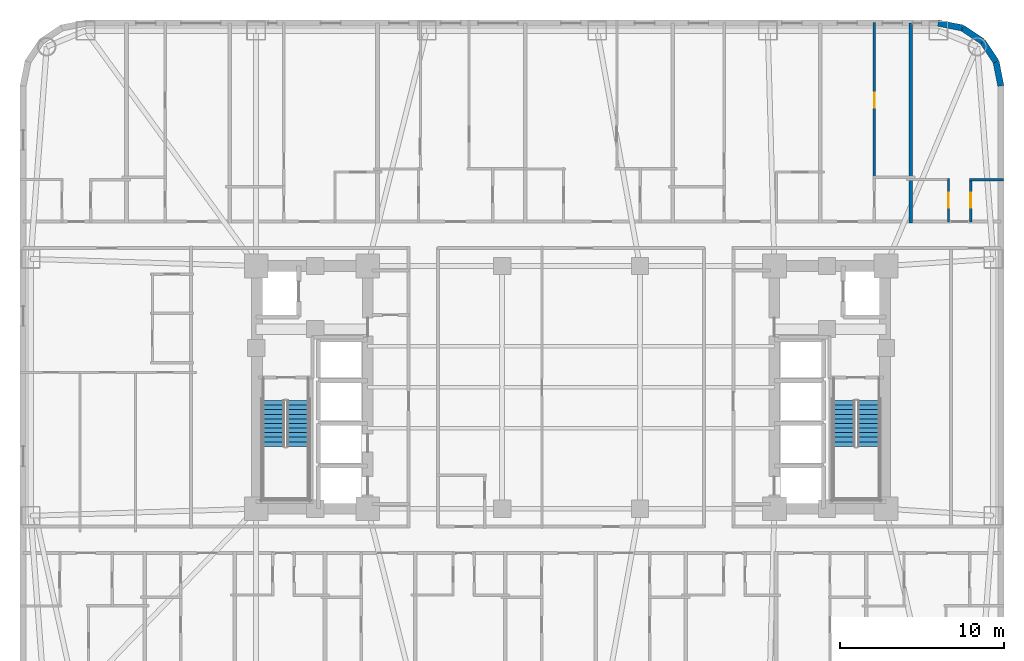
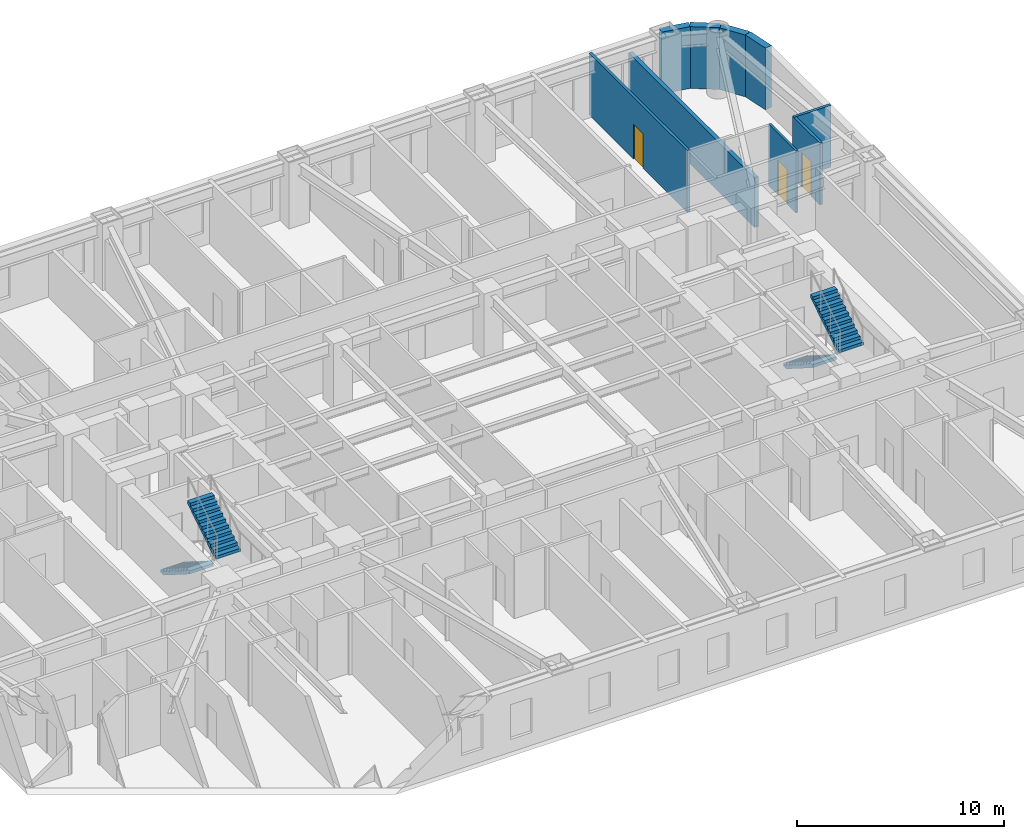
# One storey, part 9 of 11: 9 walls, 4 stair flights, 3 doors, 3 openings, 2 elements without a shape of their own.
"""IFC4 building model written with IfcOpenShell, lengths in metres."""

from ifc_helpers import new_model, si_unit, direction, frame, frame_2d, origin, place, context, subcontext, project, spatial, polyline, rectangle, outline, extrude, material, layer, layer_set, type_object, element, fill, aggregate, save


model = new_model("IFC4")

# Units and contexts
model_context = context("Model", 3, precision=1e-05, world=origin(), true_north=direction((0.0, 1.0)))
body_context = subcontext(model_context, "Body", "Model", "MODEL_VIEW")
ifc_project = project(units=[si_unit("LENGTHUNIT", "METRE"), si_unit("AREAUNIT", "SQUARE_METRE"), si_unit("VOLUMEUNIT", "CUBIC_METRE"), si_unit("PLANEANGLEUNIT", "RADIAN"), si_unit("MASSUNIT", "GRAM", prefix="KILO")], contexts=[model_context])

# Site, building, storey
site_placement = place(None, origin())
site = spatial("IfcSite", under=ifc_project, at=site_placement, CompositionType="ELEMENT")
building_placement = place(site_placement, origin())
building = spatial("IfcBuilding", under=site, at=building_placement, Name="Voryun Gate Residences", CompositionType="ELEMENT")
storey_placement = place(building_placement, frame((0.0, 0.0, 68.89990234375)))
storey = spatial("IfcBuildingStorey", under=building, at=storey_placement, Name="L16", CompositionType="ELEMENT", Elevation=68.89990234375)

# Walls
ifc_material_1 = material(Name="Granite masonry", Category="masonry")
ifc_layer_1 = layer(ifc_material_1, 0.3798828125, Name="W_EXT_GRANITE_380")
ifc_layer_set_1 = layer_set([ifc_layer_1], Name="Granite masonry")
wall_type_1 = type_object("IfcWallType", Name="W_EXT_GRANITE_380", PredefinedType="ELEMENTEDWALL", material=ifc_layer_set_1)
wall_1_placement = place(storey_placement, frame((22.38134765625, 22.2099609375, 0.0), z_axis=(0.0, 0.0, 1.0), x_axis=(0.980786132421, -0.195086038585, 0.0)))
element("IfcWall", 1, at=wall_1_placement, inside=storey, type_object=wall_type_1, Name="Exterior wall WEXT-L16-12", PredefinedType="ELEMENTEDWALL", context=body_context, shape_type="SweptSolid", body=[
    extrude(rectangle(XDim=1.504150390625, YDim=0.3798828125, at=frame_2d((0.751953125, 0.0))), origin(), (0.0, 0.0, 1.0), 3.650146484375),
])
for number, where, z_axis, x_axis, name in (
    (2, (23.856689453125, 21.91650390625, 0.0), (0.0, 0.0, 1.0), (0.831392092774, -0.555686231674, 0.0), "Exterior wall WEXT-L16-13"),
    (3, (25.09130859375, 21.09130859375, 0.0), (0.0, 0.0, 1.0), (0.555686231674, -0.831392092774, 0.0), "Exterior wall WEXT-L16-14"),
):
    element("IfcWall", number, at=place(storey_placement, frame(where, z_axis=z_axis, x_axis=x_axis)), inside=storey, type_object=wall_type_1, Name=name, PredefinedType="ELEMENTEDWALL", context=body_context, shape_type="SweptSolid", body=[
        extrude(rectangle(XDim=1.485107421875, YDim=0.3798828125, at=frame_2d((0.74267578125, 0.0))), origin(), (0.0, 0.0, 1.0), 3.650146484375),
    ])
wall_2_placement = place(storey_placement, frame((25.91650390625, 19.856689453125, 0.0), z_axis=(0.0, 0.0, 1.0), x_axis=(0.195086038585, -0.980786132421, 0.0)))
element("IfcWall", 4, at=wall_2_placement, inside=storey, type_object=wall_type_1, Name="Exterior wall WEXT-L16-15", PredefinedType="ELEMENTEDWALL", context=body_context, shape_type="SweptSolid", body=[
    extrude(rectangle(XDim=1.504150390625, YDim=0.3798828125, at=frame_2d((0.751953125, 0.0))), origin(), (0.0, 0.0, 1.0), 3.650146484375),
])
ifc_material_2 = material(Name="Concrete C40/50", Category="concrete")
ifc_layer_2 = layer(ifc_material_2, 0.219970703125, Name="W_PARTY_ACOUSTIC_220")
ifc_layer_set_2 = layer_set([ifc_layer_2], Name="Concrete C40/50")
wall_type_2 = type_object("IfcWallType", Name="W_PARTY_ACOUSTIC_220", PredefinedType="PARTITIONING", material=ifc_layer_set_2)
wall_3_placement = place(storey_placement, frame((20.708984375, 10.02001953125, 0.0), z_axis=(0.0, 0.0, 1.0), x_axis=(0.0, 1.0, 0.0)))
element("IfcWall", 5, at=wall_3_placement, inside=storey, type_object=wall_type_2, Name="Partition wall WP-L16-NPTY-7", PredefinedType="PARTITIONING", context=body_context, shape_type="SweptSolid", body=[
    extrude(rectangle(XDim=12.18994140625, YDim=0.219970703125, at=frame_2d((6.094970703125, 0.0))), origin(), (0.0, 0.0, 1.0), 2.940185546875),
])

# Wall, opening, door
ifc_material_3 = material(Name="Gypsum acoustic partition")
ifc_layer_3 = layer(ifc_material_3, 0.125, Name="W_UNIT_PART_125")
ifc_layer_set_3 = layer_set([ifc_layer_3], Name="Gypsum acoustic partition")
wall_type_3 = type_object("IfcWallType", Name="W_UNIT_PART_125", PredefinedType="PARTITIONING", material=ifc_layer_set_3)
wall_4_placement = place(storey_placement, frame((23.01904296875, 10.080078125, 0.0), z_axis=(0.0, 0.0, 1.0), x_axis=(0.0, 1.0, 0.0)))
wall_4 = element("IfcWall", 6, at=wall_4_placement, inside=storey, type_object=wall_type_3, Name="Partition wall WP-L16-N8-CVK", PredefinedType="PARTITIONING", context=body_context, shape_type="SweptSolid", body=[
    extrude(rectangle(XDim=2.64990234375, YDim=0.125, at=frame_2d((1.324951171875, 0.0))), origin(), (0.0, 0.0, 1.0), 3.650146484375),
])
opening_1_placement = place(wall_4_placement, frame((0.875, 0.0, 0.0)))
opening_1 = element("IfcOpeningElement", 7, at=opening_1_placement, cuts=wall_4, Name="Opening D-INT-2", PredefinedType="OPENING", context=body_context, shape_type="SweptSolid", body=[
    extrude(rectangle(XDim=0.89990234375, YDim=2.050048828125, at=frame_2d((0.449951171875, 1.02490234375))), frame((0.0, 0.072509765625, 0.0), z_axis=(0.0, -1.0, 0.0), x_axis=(1.0, 0.0, 0.0)), (0.0, 0.0, 1.0), 0.14501953125),
])
ifc_material_4 = material(Name="Architectural oak veneer")
door_type = type_object("IfcDoorType", Name="DR_INT_BATH_900", OperationType="NOTDEFINED", PredefinedType="DOOR", material=ifc_material_4)
door_1_placement = place(opening_1_placement, origin())
door_1 = element("IfcDoor", 8, at=door_1_placement, inside=storey, type_object=door_type, Name="Door DR-L16-N8-DK", OperationType="SINGLE_SWING_LEFT", OverallHeight=2.050048828125, OverallWidth=0.89990234375, PredefinedType="DOOR", context=body_context, shape_type="SweptSolid", body=[
    extrude(rectangle(XDim=0.89990234375, YDim=2.050048828125, at=frame_2d((0.449951171875, 1.02490234375))), frame((0.0, 0.02490234375, 0.0), z_axis=(0.0, -1.0, 0.0), x_axis=(1.0, 0.0, 0.0)), (0.0, 0.0, 1.0), 0.050048828125),
])
fill(opening_1, door_1)

ifc_material_5 = material(Name="Gypsum moisture-resistant partition")
ifc_layer_4 = layer(ifc_material_5, 0.14990234375, Name="W_WET_PLUMB_150")
ifc_layer_set_4 = layer_set([ifc_layer_4], Name="Gypsum moisture-resistant partition")
wall_type_4 = type_object("IfcWallType", Name="W_WET_PLUMB_150", PredefinedType="PLUMBINGWALL", material=ifc_layer_set_4)
wall_5_placement = place(storey_placement, frame((18.4990234375, 12.760009765625, 0.0), z_axis=(0.0, 0.0, 1.0), x_axis=(0.0, 1.0, 0.0)))
wall_5 = element("IfcWall", 9, at=wall_5_placement, inside=storey, type_object=wall_type_4, Name="Partition wall WP-L16-N7-SVT2", PredefinedType="PLUMBINGWALL", context=body_context, shape_type="SweptSolid", body=[
    extrude(rectangle(XDim=9.49755859375, YDim=0.14990234375, at=frame_2d((4.748779296875, 0.0))), origin(), (0.0, 0.0, 1.0), 3.650146484375),
])
opening_2_placement = place(wall_5_placement, frame((4.298828125, 0.0, 0.0)))
opening_2 = element("IfcOpeningElement", 10, at=opening_2_placement, cuts=wall_5, Name="Opening D-INT-2", PredefinedType="OPENING", context=body_context, shape_type="SweptSolid", body=[
    extrude(rectangle(XDim=0.89990234375, YDim=2.050048828125, at=frame_2d((0.449951171875, 1.02490234375))), frame((0.0, 0.0849609375, 0.0), z_axis=(0.0, -1.0, 0.0), x_axis=(1.0, 0.0, 0.0)), (0.0, 0.0, 1.0), 0.169921875),
])
door_2_placement = place(opening_2_placement, origin())
door_2 = element("IfcDoor", 11, at=door_2_placement, inside=storey, type_object=door_type, Name="Door DR-L16-N7-DK", OperationType="SINGLE_SWING_RIGHT", OverallHeight=2.050048828125, OverallWidth=0.89990234375, PredefinedType="DOOR", context=body_context, shape_type="SweptSolid", body=[
    extrude(rectangle(XDim=0.89990234375, YDim=2.050048828125, at=frame_2d((0.449951171875, 1.02490234375))), frame((0.0, 0.02490234375, 0.0), z_axis=(0.0, -1.0, 0.0), x_axis=(1.0, 0.0, 0.0)), (0.0, 0.0, 1.0), 0.050048828125),
])
fill(opening_2, door_2)

wall_6_placement = place(storey_placement, frame((24.364990234375, 10.080078125, 0.0), z_axis=(0.0, 0.0, 1.0), x_axis=(0.0, 1.0, 0.0)))
wall_6 = element("IfcWall", 12, at=wall_6_placement, inside=storey, type_object=wall_type_4, Name="Partition wall WP-L16-N8-CVB", PredefinedType="PLUMBINGWALL", context=body_context, shape_type="SweptSolid", body=[
    extrude(rectangle(XDim=2.64990234375, YDim=0.14990234375, at=frame_2d((1.324951171875, 0.0))), origin(), (0.0, 0.0, 1.0), 3.650146484375),
])
opening_3_placement = place(wall_6_placement, frame((0.875, 0.0, 0.0)))
opening_3 = element("IfcOpeningElement", 13, at=opening_3_placement, cuts=wall_6, Name="Opening D-INT-2", PredefinedType="OPENING", context=body_context, shape_type="SweptSolid", body=[
    extrude(rectangle(XDim=0.89990234375, YDim=2.050048828125, at=frame_2d((0.449951171875, 1.02490234375))), frame((0.0, 0.0849609375, 0.0), z_axis=(0.0, -1.0, 0.0), x_axis=(1.0, 0.0, 0.0)), (0.0, 0.0, 1.0), 0.169921875),
])
door_3_placement = place(opening_3_placement, origin())
door_3 = element("IfcDoor", 14, at=door_3_placement, inside=storey, type_object=door_type, Name="Door DR-L16-N8-DB", OperationType="SINGLE_SWING_RIGHT", OverallHeight=2.050048828125, OverallWidth=0.89990234375, PredefinedType="DOOR", context=body_context, shape_type="SweptSolid", body=[
    extrude(rectangle(XDim=0.89990234375, YDim=2.050048828125, at=frame_2d((0.449951171875, 1.02490234375))), frame((0.0, 0.02490234375, 0.0), z_axis=(0.0, -1.0, 0.0), x_axis=(1.0, 0.0, 0.0)), (0.0, 0.0, 1.0), 0.050048828125),
])
fill(opening_3, door_3)

# Wall
wall_7_placement = place(storey_placement, frame((24.304931640625, 12.669921875, 0.0), z_axis=(0.0, 0.0, 1.0), x_axis=(1.0, 0.0, 0.0)))
element("IfcWall", 15, at=wall_7_placement, inside=storey, type_object=wall_type_4, Name="Partition wall WP-L16-N8-CHB", PredefinedType="PLUMBINGWALL", context=body_context, shape_type="SweptSolid", body=[
    extrude(rectangle(XDim=2.05517578125, YDim=0.14990234375, at=frame_2d((1.027587890625, 0.0))), origin(), (0.0, 0.0, 1.0), 3.650146484375),
])

# Stair, stair flights
ifc_material_6 = material(Name="Concrete C40/50", Category="concrete")
stair_type = type_object("IfcStairType", Name="STR_CORE_DOGLEG_1350", PredefinedType="HALF_TURN_STAIR", material=ifc_material_6)
stair_1_placement = place(storey_placement, origin())
stair_1 = element("IfcStair", 16, at=stair_1_placement, inside=storey, type_object=stair_type, Name="L16 Special Escape Stair ST-W1", PredefinedType="HALF_TURN_STAIR")
ifc_material_7 = material(Name="Concrete C40/50", Category="concrete")
stair_flight_type = type_object("IfcStairFlightType", Name="FLT_CORE_1350", PredefinedType="STRAIGHT", material=ifc_material_7)
stair_flight_1_placement = place(storey_placement, frame((-18.14990234375, -0.800048828125, 0.0), z_axis=(0.0, 0.0, 1.0), x_axis=(0.0, -1.0, 0.0)))
stair_flight_1 = element("IfcStairFlight", 17, at=stair_flight_1_placement, type_object=stair_flight_type, Name="ST-W1 flight 1", NumberOfRisers=11, NumberOfTreads=10, PredefinedType="STRAIGHT", RiserHeight=0.177272727, TreadLength=0.28, context=body_context, shape_type="SweptSolid", body=[
    extrude(outline(polyline([(0.0, 0.0), (0.0, 0.17724609375), (0.280029296875, 0.17724609375), (0.280029296875, 0.3544921875), (0.56005859375, 0.3544921875), (0.56005859375, 0.53173828125), (0.840087890625, 0.53173828125), (0.840087890625, 0.708984375), (1.1201171875, 0.708984375), (1.1201171875, 0.886474609375), (1.39990234375, 0.886474609375), (1.39990234375, 1.063720703125), (1.679931640625, 1.063720703125), (1.679931640625, 1.240966796875), (1.9599609375, 1.240966796875), (1.9599609375, 1.418212890625), (2.239990234375, 1.418212890625), (2.239990234375, 1.595458984375), (2.52001953125, 1.595458984375), (2.52001953125, 1.772705078125), (2.800048828125, 1.772705078125), (2.800048828125, 1.949951171875), (2.800048828125, 1.59521484375), (0.2802734375, 0.0), (0.0, 0.0)])), frame((0.0, 0.675048828125, 0.0), z_axis=(0.0, -1.0, 0.0), x_axis=(1.0, 0.0, 0.0)), (0.0, 0.0, 1.0), 1.35009765625),
])
stair_flight_2_placement = place(storey_placement, frame((-16.64990234375, -3.60009765625, 1.9501953125), z_axis=(0.0, 0.0, 1.0), x_axis=(0.0, 1.0, 0.0)))
stair_flight_2 = element("IfcStairFlight", 18, at=stair_flight_2_placement, type_object=stair_flight_type, Name="ST-W1 flight 2", NumberOfRisers=11, NumberOfTreads=10, PredefinedType="STRAIGHT", RiserHeight=0.177272727, TreadLength=0.28, context=body_context, shape_type="SweptSolid", body=[
    extrude(outline(polyline([(0.0, 0.0), (0.0, 0.17724609375), (0.280029296875, 0.17724609375), (0.280029296875, 0.3544921875), (0.56005859375, 0.3544921875), (0.56005859375, 0.53173828125), (0.840087890625, 0.53173828125), (0.840087890625, 0.708984375), (1.1201171875, 0.708984375), (1.1201171875, 0.886474609375), (1.39990234375, 0.886474609375), (1.39990234375, 1.063720703125), (1.679931640625, 1.063720703125), (1.679931640625, 1.240966796875), (1.9599609375, 1.240966796875), (1.9599609375, 1.418212890625), (2.239990234375, 1.418212890625), (2.239990234375, 1.595458984375), (2.52001953125, 1.595458984375), (2.52001953125, 1.772705078125), (2.800048828125, 1.772705078125), (2.800048828125, 1.949951171875), (2.800048828125, 1.59521484375), (0.2802734375, 0.0), (0.0, 0.0)])), frame((0.0, 0.675048828125, 0.0), z_axis=(0.0, -1.0, 0.0), x_axis=(1.0, 0.0, 0.0)), (0.0, 0.0, 1.0), 1.35009765625),
])
aggregate(stair_1, [stair_flight_1, stair_flight_2])

stair_2_placement = place(storey_placement, origin())
stair_2 = element("IfcStair", 19, at=stair_2_placement, inside=storey, type_object=stair_type, Name="L16 Special Escape Stair ST-E1", PredefinedType="HALF_TURN_STAIR")
stair_flight_3_placement = place(storey_placement, frame((16.64990234375, -0.800048828125, 0.0), z_axis=(0.0, 0.0, 1.0), x_axis=(0.0, -1.0, 0.0)))
stair_flight_3 = element("IfcStairFlight", 20, at=stair_flight_3_placement, type_object=stair_flight_type, Name="ST-E1 flight 1", NumberOfRisers=11, NumberOfTreads=10, PredefinedType="STRAIGHT", RiserHeight=0.177272727, TreadLength=0.28, context=body_context, shape_type="SweptSolid", body=[
    extrude(outline(polyline([(0.0, 0.0), (0.0, 0.17724609375), (0.280029296875, 0.17724609375), (0.280029296875, 0.3544921875), (0.56005859375, 0.3544921875), (0.56005859375, 0.53173828125), (0.840087890625, 0.53173828125), (0.840087890625, 0.708984375), (1.1201171875, 0.708984375), (1.1201171875, 0.886474609375), (1.39990234375, 0.886474609375), (1.39990234375, 1.063720703125), (1.679931640625, 1.063720703125), (1.679931640625, 1.240966796875), (1.9599609375, 1.240966796875), (1.9599609375, 1.418212890625), (2.239990234375, 1.418212890625), (2.239990234375, 1.595458984375), (2.52001953125, 1.595458984375), (2.52001953125, 1.772705078125), (2.800048828125, 1.772705078125), (2.800048828125, 1.949951171875), (2.800048828125, 1.59521484375), (0.2802734375, 0.0), (0.0, 0.0)])), frame((0.0, 0.675048828125, 0.0), z_axis=(0.0, -1.0, 0.0), x_axis=(1.0, 0.0, 0.0)), (0.0, 0.0, 1.0), 1.35009765625),
])
stair_flight_4_placement = place(storey_placement, frame((18.14990234375, -3.60009765625, 1.9501953125), z_axis=(0.0, 0.0, 1.0), x_axis=(0.0, 1.0, 0.0)))
stair_flight_4 = element("IfcStairFlight", 21, at=stair_flight_4_placement, type_object=stair_flight_type, Name="ST-E1 flight 2", NumberOfRisers=11, NumberOfTreads=10, PredefinedType="STRAIGHT", RiserHeight=0.177272727, TreadLength=0.28, context=body_context, shape_type="SweptSolid", body=[
    extrude(outline(polyline([(0.0, 0.0), (0.0, 0.17724609375), (0.280029296875, 0.17724609375), (0.280029296875, 0.3544921875), (0.56005859375, 0.3544921875), (0.56005859375, 0.53173828125), (0.840087890625, 0.53173828125), (0.840087890625, 0.708984375), (1.1201171875, 0.708984375), (1.1201171875, 0.886474609375), (1.39990234375, 0.886474609375), (1.39990234375, 1.063720703125), (1.679931640625, 1.063720703125), (1.679931640625, 1.240966796875), (1.9599609375, 1.240966796875), (1.9599609375, 1.418212890625), (2.239990234375, 1.418212890625), (2.239990234375, 1.595458984375), (2.52001953125, 1.595458984375), (2.52001953125, 1.772705078125), (2.800048828125, 1.772705078125), (2.800048828125, 1.949951171875), (2.800048828125, 1.59521484375), (0.2802734375, 0.0), (0.0, 0.0)])), frame((0.0, 0.675048828125, 0.0), z_axis=(0.0, -1.0, 0.0), x_axis=(1.0, 0.0, 0.0)), (0.0, 0.0, 1.0), 1.35009765625),
])
aggregate(stair_2, [stair_flight_3, stair_flight_4])

save(model, "model.ifc")
